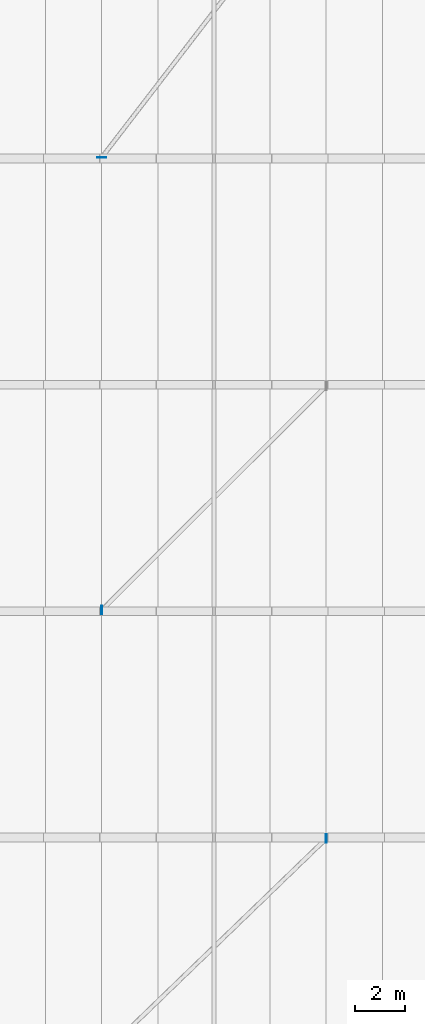
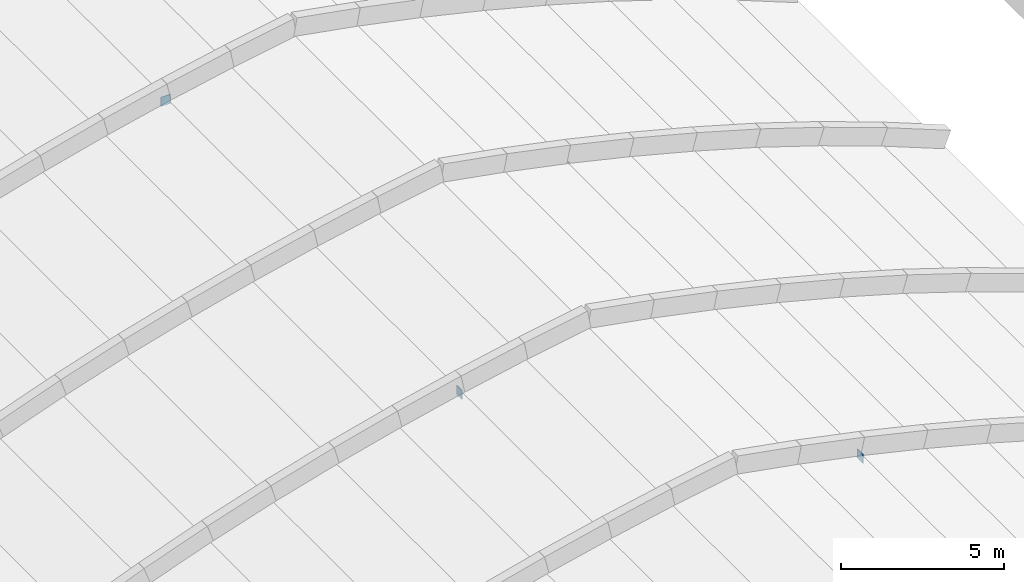
# One storey, part 50 of 56: 3 plates.
"""IFC4 building model written with IfcOpenShell, lengths in metres."""

from ifc_helpers import new_model, si_unit, direction, frame, origin, origin_2d, place, context, subcontext, project, spatial, rectangle, extrude, material, layer, layer_set, type_object, element, save


model = new_model("IFC4")

# Units and contexts
model_context = context("Model", 3, precision=1e-05, world=origin(), true_north=direction((0.0, 1.0)))
body_context = subcontext(model_context, "Body", "Model", "MODEL_VIEW")
ifc_project = project(units=[si_unit("LENGTHUNIT", "METRE"), si_unit("AREAUNIT", "SQUARE_METRE"), si_unit("VOLUMEUNIT", "CUBIC_METRE"), si_unit("PLANEANGLEUNIT", "RADIAN"), si_unit("MASSUNIT", "GRAM", prefix="KILO")], contexts=[model_context])

# Site, building, storey
site_placement = place(None, origin())
site = spatial("IfcSite", under=ifc_project, at=site_placement, CompositionType="ELEMENT")
building_placement = place(site_placement, origin())
building = spatial("IfcBuilding", under=site, at=building_placement, Name="Zacnel Wholesale Market", CompositionType="ELEMENT")
storey_placement = place(building_placement, frame((0.0, 0.0, 20.300048828125)))
storey = spatial("IfcBuildingStorey", under=building, at=storey_placement, Name="RF", CompositionType="ELEMENT", Elevation=20.300048828125)

# Plates
ifc_material = material(Name="Steel S355", Category="steel")
ifc_layer = layer(ifc_material, 0.02392578125)
ifc_layer_set = layer_set([ifc_layer], Name="Steel S355")
plate_type = type_object("IfcPlateType", Name="PLT-GUS-340X24", PredefinedType="SHEET", material=ifc_layer_set)
for number, where, z_axis, x_axis, name in (
    (1, (166.612548828125, 56.9599609375, -5.22998046875), (0.0, 0.0, 1.0), (0.0, 1.0, 0.0), "Shell diaphragm brace end plate 012-B"),
    (2, (157.6875, 66.0400390625, -5.22998046875), (0.0, 0.0, 1.0), (0.0, 1.0, 0.0), "Shell diaphragm brace end plate 015-A"),
    (3, (157.6875, 84.0400390625, -5.22998046875), (0.0, 0.0, 1.0), (1.0, 0.0, 0.0), "Shell diaphragm brace end plate 017-A"),
):
    element("IfcPlate", number, at=place(storey_placement, frame(where, z_axis=z_axis, x_axis=x_axis)), inside=storey, type_object=plate_type, Name=name, PredefinedType="SHEET", context=body_context, shape_type="SweptSolid", body=[
        extrude(rectangle(XDim=0.340087890625, YDim=0.02392578125, at=origin_2d()), origin(), (0.0, 0.0, 1.0), 0.340087890625),
    ])

save(model, "model.ifc")
